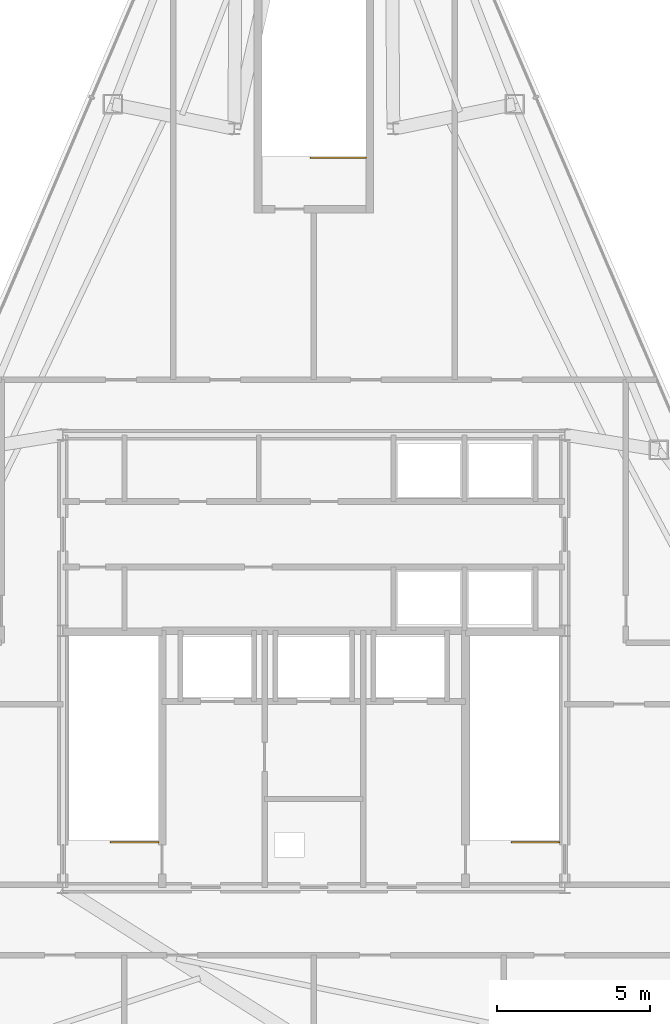
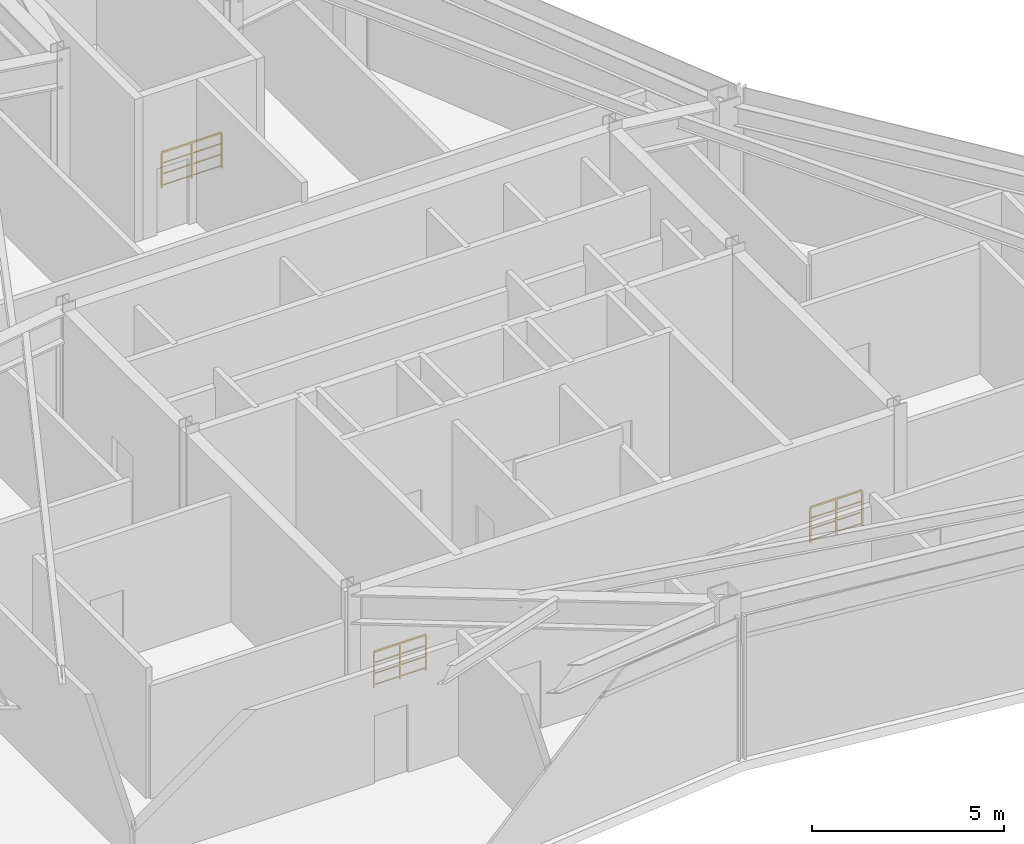
# One storey, part 11 of 11: 3 railings.
"""IFC4 building model written with IfcOpenShell, lengths in metres."""

import ifcopenshell
import ifcopenshell.guid

model = None  # the IFC model being written
_history = None  # IfcOwnerHistory: only IFC2X3 demands one
_inside = {}  # id of a spatial element -> (the spatial element, [elements in it])
_under = {}  # id of a project, library or spatial element -> (it, [spatial elements below it])
_declared = {}  # id of a project -> (the project, [libraries it declares])
_typed = {}  # id of a type object -> (the type object, [elements of that type])
_made_of = {}  # id of a material, layer set ... -> (it, [elements and type objects made of it])


def new_model(schema):
    """Start an empty IFC model of exactly this schema.

    Asked for "IFC4X3", IfcOpenShell would pick the latest addendum, in which some entities
    have other attributes; the version numbers below select the first issue.
    IFC2X3 requires an IfcOwnerHistory on every rooted entity: one is made here for all.
    """
    global model, _history
    if schema == "IFC4X3":
        model = ifcopenshell.file(schema_version=(4, 3, 0, 0))
    else:
        model = ifcopenshell.file(schema=schema)
    _inside.clear()
    _under.clear()
    _declared.clear()
    _typed.clear()
    _made_of.clear()
    _history = None
    if model.schema == "IFC2X3":
        org = make("IfcOrganization", Name="unknown")
        user = make(
            "IfcPersonAndOrganization",
            ThePerson=make("IfcPerson", FamilyName="unknown"),
            TheOrganization=org,
        )
        app = make(
            "IfcApplication",
            ApplicationDeveloper=org,
            Version="unknown",
            ApplicationFullName="unknown",
            ApplicationIdentifier="unknown",
        )
        _history = make(
            "IfcOwnerHistory",
            OwningUser=user,
            OwningApplication=app,
            ChangeAction="ADDED",
            CreationDate=0,
        )
    return model


def make(cls, **values):
    """One entity of the class cls with the attributes given. An attribute that is None is left unset."""
    return model.create_entity(
        cls, **{name: value for name, value in values.items() if value is not None}
    )


def rooted(cls, **values):
    """An entity with a GlobalId (a new one), such as an element, a storey or a relation."""
    return make(cls, GlobalId=ifcopenshell.guid.new(), OwnerHistory=_history, **values)


def si_unit(unit_type, name, prefix=None):
    """IfcSIUnit, for example si_unit("LENGTHUNIT", "METRE", prefix="MILLI")."""
    return make("IfcSIUnit", UnitType=unit_type, Prefix=prefix, Name=name)


def assignment(units):
    """IfcUnitAssignment: the units of a project."""
    return None if units is None else make("IfcUnitAssignment", Units=units)


def point(xyz):
    """IfcCartesianPoint."""
    return None if xyz is None else make("IfcCartesianPoint", Coordinates=xyz)


def direction(xyz):
    """IfcDirection."""
    return None if xyz is None else make("IfcDirection", DirectionRatios=xyz)


def frame(location, z_axis=None, x_axis=None):
    """IfcAxis2Placement3D, a coordinate frame: its origin and axes. An axis left out is left unset."""
    return make(
        "IfcAxis2Placement3D",
        Location=point(location),
        Axis=direction(z_axis),
        RefDirection=direction(x_axis),
    )


def frame_2d(location, x_axis=None):
    """IfcAxis2Placement2D, a coordinate frame in the plane: its origin and x axis."""
    return make(
        "IfcAxis2Placement2D", Location=point(location), RefDirection=direction(x_axis)
    )


def origin():
    """The frame at (0, 0, 0) with its axes left unset."""
    return frame((0.0, 0.0, 0.0))


def origin_2d():
    """The frame at (0, 0) in the plane with its x axis left unset."""
    return frame_2d((0.0, 0.0))


def place(relative_to, where):
    """IfcLocalPlacement: puts the frame where relative to a parent placement (None: the world)."""
    return make(
        "IfcLocalPlacement", PlacementRelTo=relative_to, RelativePlacement=where
    )


def context(
    kind, dimensions, precision=None, world=None, true_north=None, identifier=None
):
    """IfcGeometricRepresentationContext, for example the 3D "Model" context."""
    return make(
        "IfcGeometricRepresentationContext",
        ContextIdentifier=identifier,
        ContextType=kind,
        CoordinateSpaceDimension=dimensions,
        Precision=precision,
        WorldCoordinateSystem=world,
        TrueNorth=true_north,
    )


def subcontext(parent, identifier, kind, view, scale=None):
    """IfcGeometricRepresentationSubContext, for example "Body" below "Model"."""
    return make(
        "IfcGeometricRepresentationSubContext",
        ContextIdentifier=identifier,
        ContextType=kind,
        ParentContext=parent,
        TargetScale=scale,
        TargetView=view,
    )


def project(units=None, contexts=None):
    """IfcProject with its units and contexts."""
    return rooted(
        "IfcProject",
        Name="project",
        RepresentationContexts=contexts,
        UnitsInContext=assignment(units),
    )


def spatial(cls, under=None, at=None, **own):
    """A site, building, storey or space (cls), placed at a placement, below another one or the project."""
    s = rooted(cls, ObjectPlacement=at, **own)
    if under is not None:
        _under.setdefault(under.id(), (under, []))[1].append(s)
    return s


def profile(cls, at=None, kind="AREA", **sizes):
    """A parametric profile (cls). Its sizes go by their IFC names, for example OverallWidth=200.0."""
    return make(cls, ProfileType=kind, Position=at, **sizes)


def rectangle(**sizes):
    """IfcRectangleProfileDef."""
    return profile("IfcRectangleProfileDef", **sizes)


def extrude(swept, where, along, depth):
    """IfcExtrudedAreaSolid: the profile swept, set in the frame where, extruded along a direction by depth."""
    return make(
        "IfcExtrudedAreaSolid",
        SweptArea=swept,
        Position=where,
        ExtrudedDirection=direction(along),
        Depth=depth,
    )


def shape(context_of_items, identifier, shape_type, items):
    """IfcShapeRepresentation: the items that make up one representation, for example the "Body"."""
    return make(
        "IfcShapeRepresentation",
        ContextOfItems=context_of_items,
        RepresentationIdentifier=identifier,
        RepresentationType=shape_type,
        Items=items,
    )


def material(Name=None, Category=None):
    """IfcMaterial."""
    return make("IfcMaterial", Name=Name, Category=Category)


def made_of(thing, what):
    """Note that an element or type object is made of a material, layer set ...; save() writes the relation."""
    if what is not None:
        _made_of.setdefault(what.id(), (what, []))[1].append(thing)
    return thing


def type_object(cls, material=None, **own):
    """A type object (cls), such as IfcWallType, which elements share."""
    return made_of(rooted(cls, **own), material)


def element(
    cls,
    number,
    at=None,
    inside=None,
    cuts=None,
    type_object=None,
    material=None,
    context=None,
    identifier="Body",
    shape_type=None,
    held_by="IfcProductDefinitionShape",
    body=None,
    shapes=None,
    **own,
):
    """One element of the class cls, such as IfcWall. Its Tag is "e" and its number.

    at: its placement. inside: the storey or other place that contains it. cuts: it is an
    opening in that element (IfcRelVoidsElement). A single representation is given by context,
    identifier, shape_type and body (its items); several are given by shapes. held_by: the class
    of the entity that holds the representations. save() writes the other relations.
    """
    e = rooted(cls, Tag="e%d" % number, ObjectPlacement=at, **own)
    if body is not None:
        shapes = [shape(context, identifier, shape_type, body)]
    if shapes is not None:
        e.Representation = make(held_by, Representations=shapes)
    if inside is not None:
        _inside.setdefault(inside.id(), (inside, []))[1].append(e)
    if cuts is not None:
        rooted(
            "IfcRelVoidsElement", RelatingBuildingElement=cuts, RelatedOpeningElement=e
        )
    if type_object is not None:
        _typed.setdefault(type_object.id(), (type_object, []))[1].append(e)
    return made_of(e, material)


def aggregate(whole, parts):
    """IfcRelAggregates: a whole, such as a stair, and the parts it consists of."""
    return rooted("IfcRelAggregates", RelatingObject=whole, RelatedObjects=parts)


def save(model, path):
    """Write the relations noted so far, then the file.

    IfcRelAggregates (storeys below a building ...), IfcRelContainedInSpatialStructure (elements
    in a storey), IfcRelDefinesByType, IfcRelAssociatesMaterial and IfcRelDeclares: one each for
    every whole, place, type object, material and project.
    """
    for whole, parts in _under.values():
        aggregate(whole, parts)
    for where, things in _inside.values():
        rooted(
            "IfcRelContainedInSpatialStructure",
            RelatedElements=things,
            RelatingStructure=where,
        )
    for kind, things in _typed.values():
        rooted("IfcRelDefinesByType", RelatedObjects=things, RelatingType=kind)
    for what, things in _made_of.values():
        rooted("IfcRelAssociatesMaterial", RelatedObjects=things, RelatingMaterial=what)
    for by, libraries in _declared.values():
        rooted("IfcRelDeclares", RelatingContext=by, RelatedDefinitions=libraries)
    model.write(path)


model = new_model("IFC4")

# Units and contexts
model_context = context("Model", 3, precision=1e-05, world=origin(), true_north=direction((0.0, 1.0)))
body_context = subcontext(model_context, "Body", "Model", "MODEL_VIEW")
ifc_project = project(units=[si_unit("LENGTHUNIT", "METRE"), si_unit("AREAUNIT", "SQUARE_METRE"), si_unit("VOLUMEUNIT", "CUBIC_METRE"), si_unit("PLANEANGLEUNIT", "RADIAN"), si_unit("MASSUNIT", "GRAM", prefix="KILO")], contexts=[model_context])

# Site, building, storey
site_placement = place(None, origin())
site = spatial("IfcSite", under=ifc_project, at=site_placement, CompositionType="ELEMENT")
building_placement = place(site_placement, origin())
building = spatial("IfcBuilding", under=site, at=building_placement, Name="Varakhsha Concourse Tower", CompositionType="ELEMENT")
storey_placement = place(building_placement, frame((0.0, 0.0, 290.0)))
storey = spatial("IfcBuildingStorey", under=building, at=storey_placement, Name="L82", CompositionType="ELEMENT", Elevation=290.0)

# Railings
ifc_material = material(Name="Brushed Austenitic Stainless Steel AISI 316", Category="steel")
railing_type = type_object("IfcRailingType", Name="RL-STAIR-GUARD-1100", PredefinedType="GUARDRAIL", material=ifc_material)
railing_1_placement = place(storey_placement, frame((34.919921875, 17.889892578125, 0.0)))
element("IfcRailing", 1, at=railing_1_placement, inside=storey, type_object=railing_type, Name="L82 ST1 top well guard 1", PredefinedType="GUARDRAIL", context=body_context, shape_type="SweptSolid", body=[
    extrude(rectangle(XDim=0.048095703125, YDim=0.048095703125, at=origin_2d()), frame((0.0, 0.0, 1.1259765625), z_axis=(-1.0, 0.0, 0.0), x_axis=(0.0, -1.0, 0.0)), (0.0, 0.0, 1.0), 1.559814453125),
    extrude(rectangle(XDim=0.028076171875, YDim=0.028076171875, at=origin_2d()), frame((0.0, 0.0, 0.080078125), z_axis=(-1.0, 0.0, 0.0), x_axis=(0.0, -1.0, 0.0)), (0.0, 0.0, 1.0), 1.559814453125),
    extrude(rectangle(XDim=0.028076171875, YDim=0.028076171875, at=origin_2d()), frame((0.0, 0.0, 0.43701171875), z_axis=(-1.0, 0.0, 0.0), x_axis=(0.0, -1.0, 0.0)), (0.0, 0.0, 1.0), 1.559814453125),
    extrude(rectangle(XDim=0.028076171875, YDim=0.028076171875, at=origin_2d()), frame((0.0, 0.0, 0.781982421875), z_axis=(-1.0, 0.0, 0.0), x_axis=(0.0, -1.0, 0.0)), (0.0, 0.0, 1.0), 1.559814453125),
    extrude(rectangle(XDim=0.0419921875, YDim=0.0419921875, at=origin_2d()), origin(), (0.0, 0.0, 1.0), 1.101806640625),
    extrude(rectangle(XDim=0.0419921875, YDim=0.0419921875, at=origin_2d()), frame((-0.77978515625, 0.0, 0.0)), (0.0, 0.0, 1.0), 1.101806640625),
    extrude(rectangle(XDim=0.0419921875, YDim=0.0419921875, at=origin_2d()), frame((-1.559814453125, 0.0, 0.0)), (0.0, 0.0, 1.0), 1.101806640625),
])
railing_2_placement = place(storey_placement, frame((48.02001953125, 17.889892578125, 0.0)))
element("IfcRailing", 2, at=railing_2_placement, inside=storey, type_object=railing_type, Name="L82 ST2 top well guard 1", PredefinedType="GUARDRAIL", context=body_context, shape_type="SweptSolid", body=[
    extrude(rectangle(XDim=0.048095703125, YDim=0.048095703125, at=origin_2d()), frame((0.0, 0.0, 1.1259765625), z_axis=(-1.0, 0.0, 0.0), x_axis=(0.0, -1.0, 0.0)), (0.0, 0.0, 1.0), 1.56005859375),
    extrude(rectangle(XDim=0.028076171875, YDim=0.028076171875, at=origin_2d()), frame((0.0, 0.0, 0.080078125), z_axis=(-1.0, 0.0, 0.0), x_axis=(0.0, -1.0, 0.0)), (0.0, 0.0, 1.0), 1.56005859375),
    extrude(rectangle(XDim=0.028076171875, YDim=0.028076171875, at=origin_2d()), frame((0.0, 0.0, 0.43701171875), z_axis=(-1.0, 0.0, 0.0), x_axis=(0.0, -1.0, 0.0)), (0.0, 0.0, 1.0), 1.56005859375),
    extrude(rectangle(XDim=0.028076171875, YDim=0.028076171875, at=origin_2d()), frame((0.0, 0.0, 0.781982421875), z_axis=(-1.0, 0.0, 0.0), x_axis=(0.0, -1.0, 0.0)), (0.0, 0.0, 1.0), 1.56005859375),
    extrude(rectangle(XDim=0.0419921875, YDim=0.0419921875, at=origin_2d()), origin(), (0.0, 0.0, 1.0), 1.101806640625),
    extrude(rectangle(XDim=0.0419921875, YDim=0.0419921875, at=origin_2d()), frame((-0.780029296875, 0.0, 0.0)), (0.0, 0.0, 1.0), 1.101806640625),
    extrude(rectangle(XDim=0.0419921875, YDim=0.0419921875, at=origin_2d()), frame((-1.56005859375, 0.0, 0.0)), (0.0, 0.0, 1.0), 1.101806640625),
])
railing_3_placement = place(storey_placement, frame((41.699951171875, 40.25, 0.0)))
element("IfcRailing", 3, at=railing_3_placement, inside=storey, type_object=railing_type, Name="L82 ST5 top well guard 1", PredefinedType="GUARDRAIL", context=body_context, shape_type="SweptSolid", body=[
    extrude(rectangle(XDim=0.048095703125, YDim=0.048095703125, at=origin_2d()), frame((0.0, 0.0, 1.1259765625), z_axis=(-1.0, 0.0, 0.0), x_axis=(0.0, -1.0, 0.0)), (0.0, 0.0, 1.0), 1.800048828125),
    extrude(rectangle(XDim=0.028076171875, YDim=0.028076171875, at=origin_2d()), frame((0.0, 0.0, 0.080078125), z_axis=(-1.0, 0.0, 0.0), x_axis=(0.0, -1.0, 0.0)), (0.0, 0.0, 1.0), 1.800048828125),
    extrude(rectangle(XDim=0.028076171875, YDim=0.028076171875, at=origin_2d()), frame((0.0, 0.0, 0.43701171875), z_axis=(-1.0, 0.0, 0.0), x_axis=(0.0, -1.0, 0.0)), (0.0, 0.0, 1.0), 1.800048828125),
    extrude(rectangle(XDim=0.028076171875, YDim=0.028076171875, at=origin_2d()), frame((0.0, 0.0, 0.781982421875), z_axis=(-1.0, 0.0, 0.0), x_axis=(0.0, -1.0, 0.0)), (0.0, 0.0, 1.0), 1.800048828125),
    extrude(rectangle(XDim=0.0419921875, YDim=0.0419921875, at=origin_2d()), origin(), (0.0, 0.0, 1.0), 1.101806640625),
    extrude(rectangle(XDim=0.0419921875, YDim=0.0419921875, at=origin_2d()), frame((-0.89990234375, 0.0, 0.0)), (0.0, 0.0, 1.0), 1.101806640625),
    extrude(rectangle(XDim=0.0419921875, YDim=0.0419921875, at=origin_2d()), frame((-1.800048828125, 0.0, 0.0)), (0.0, 0.0, 1.0), 1.101806640625),
])

save(model, "model.ifc")
